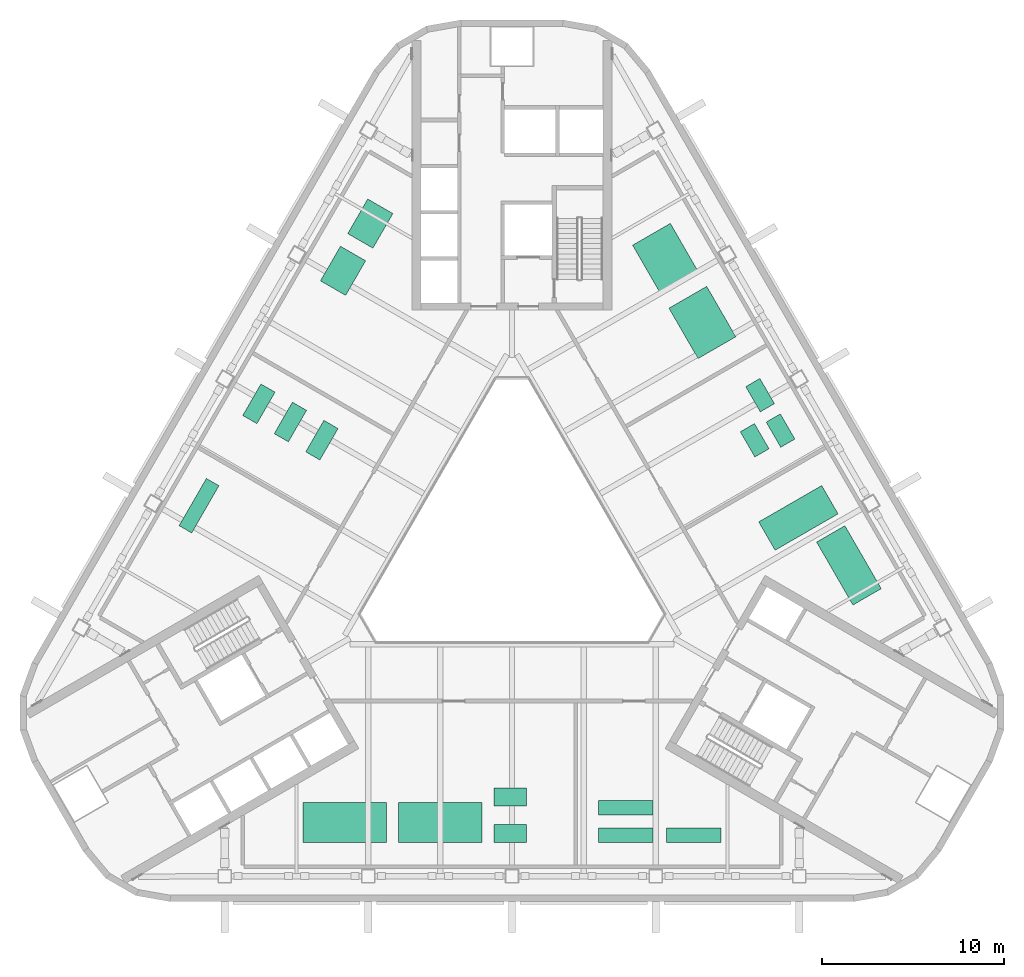
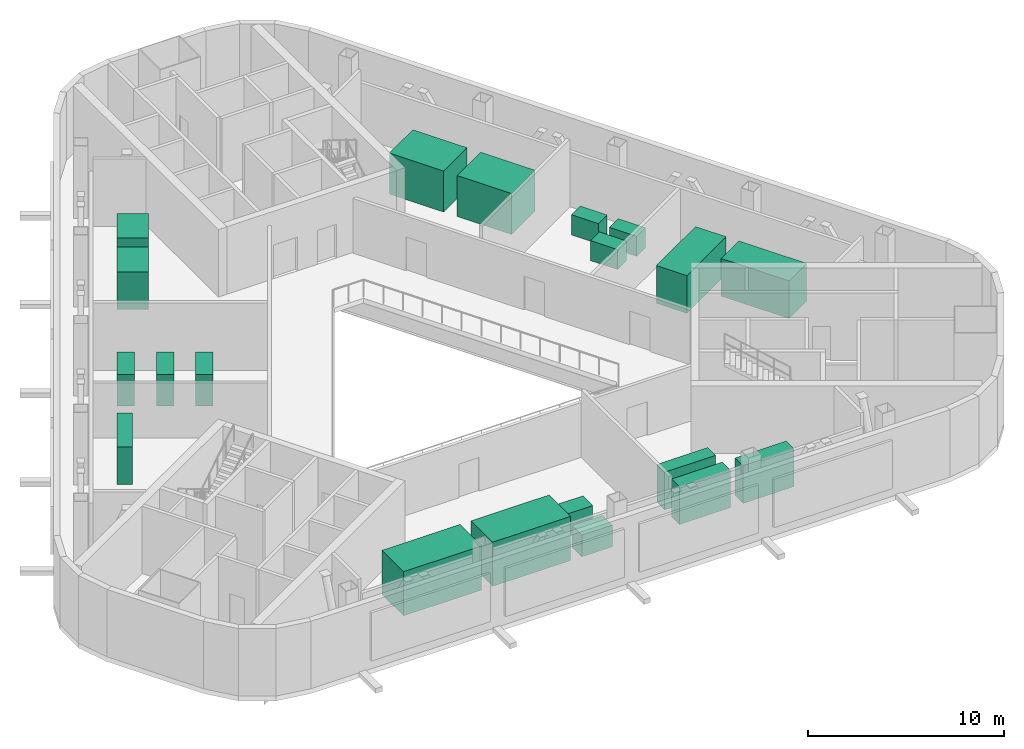
# One storey, part 15 of 15: 5 pumps, 4 electric distribution boards, 3 heat exchangers, 2 chillers, 2 tanks, 2 transformers, 2 unitary equipment elements.
"""IFC4 building model written with IfcOpenShell, lengths in metres."""

from ifc_helpers import new_model, si_unit, direction, frame, origin, origin_2d, place, context, subcontext, project, spatial, rectangle, extrude, material, type_object, element, save


model = new_model("IFC4")

# Units and contexts
model_context = context("Model", 3, precision=1e-05, world=origin(), true_north=direction((0.0, 1.0)))
body_context = subcontext(model_context, "Body", "Model", "MODEL_VIEW")
ifc_project = project(units=[si_unit("LENGTHUNIT", "METRE"), si_unit("AREAUNIT", "SQUARE_METRE"), si_unit("VOLUMEUNIT", "CUBIC_METRE"), si_unit("PLANEANGLEUNIT", "RADIAN"), si_unit("MASSUNIT", "GRAM", prefix="KILO")], contexts=[model_context])

# Site, building, storey
site_placement = place(None, origin())
site = spatial("IfcSite", under=ifc_project, at=site_placement, CompositionType="ELEMENT")
building_placement = place(site_placement, origin())
building = spatial("IfcBuilding", under=site, at=building_placement, Name="Apuvela Tower Hotel", CompositionType="ELEMENT")
storey_placement = place(building_placement, frame((0.0, 0.0, 237.699951171875)))
storey = spatial("IfcBuildingStorey", under=building, at=storey_placement, Name="L58 Plant", CompositionType="ELEMENT", Elevation=237.699951171875)

# Unitary equipment
ifc_material = material(Name="Painted sheet metal casing")
unitary_equipment_type = type_object("IfcUnitaryEquipmentType", Name="SPC-EQ-Air handling unit", PredefinedType="AIRHANDLER", material=ifc_material)
unitary_equipment_1_placement = place(storey_placement, frame((18.531005859375, -1.13671875, 0.0), z_axis=(0.0, 0.0, 1.0), x_axis=(-0.5, 0.866025403784, 0.0)))
element("IfcUnitaryEquipment", 1, at=unitary_equipment_1_placement, inside=storey, type_object=unitary_equipment_type, Name="Air handling unit L58-NE1.1", PredefinedType="AIRHANDLER", context=body_context, shape_type="SweptSolid", body=[
    extrude(rectangle(XDim=4.0, YDim=1.800048828125, at=origin_2d()), origin(), (0.0, 0.0, 1.0), 2.35009765625),
])
unitary_equipment_2_placement = place(storey_placement, frame((15.75341796875, 1.47412109375, 0.0), z_axis=(0.0, 0.0, 1.0), x_axis=(-0.5, 0.866025403784, 0.0)))
element("IfcUnitaryEquipment", 2, at=unitary_equipment_2_placement, inside=storey, type_object=unitary_equipment_type, Name="Air handling unit L58-NE1.2", PredefinedType="AIRHANDLER", context=body_context, shape_type="SweptSolid", body=[
    extrude(rectangle(XDim=1.800048828125, YDim=4.0, at=origin_2d()), origin(), (0.0, 0.0, 1.0), 2.35009765625),
])

# Pumps
pump_type_1 = type_object("IfcPumpType", Name="SPC-EQ-Chilled water pump", PredefinedType="CIRCULATOR", material=ifc_material)
for number, where, z_axis, x_axis, name in (
    (3, (14.770751953125, 6.2763671875, 0.0), (0.0, 0.0, 1.0), (-0.5, 0.866025403784, 0.0), "Chilled water pump L58-NE2.1"),
    (4, (13.645751953125, 8.224853515625, 0.0), (0.0, 0.0, 1.0), (-0.5, 0.866025403784, 0.0), "Chilled water pump L58-NE2.2"),
    (5, (13.3466796875, 5.742919921875, 0.0), (0.0, 0.0, 1.0), (-0.5, 0.866025403784, 0.0), "Chilled water pump L58-NE2.3"),
):
    element("IfcPump", number, at=place(storey_placement, frame(where, z_axis=z_axis, x_axis=x_axis)), inside=storey, type_object=pump_type_1, Name=name, PredefinedType="CIRCULATOR", context=body_context, shape_type="SweptSolid", body=[
        extrude(rectangle(XDim=1.60009765625, YDim=0.89990234375, at=origin_2d()), origin(), (0.0, 0.0, 1.0), 1.25),
    ])

# Chillers
chiller_type = type_object("IfcChillerType", Name="SPC-EQ-Chiller", PredefinedType="WATERCOOLED", material=ifc_material)
for number, where, z_axis, x_axis, name in (
    (6, (-9.199951171875, -15.280029296875, 0.0), (0.0, 0.0, 1.0), (1.0, 0.0, 0.0), "Chiller L58-S1.1"),
    (7, (-3.949951171875, -15.280029296875, 0.0), (0.0, 0.0, 1.0), (1.0, 0.0, 0.0), "Chiller L58-S1.2"),
):
    element("IfcChiller", number, at=place(storey_placement, frame(where, z_axis=z_axis, x_axis=x_axis)), inside=storey, type_object=chiller_type, Name=name, PredefinedType="WATERCOOLED", context=body_context, shape_type="SweptSolid", body=[
        extrude(rectangle(XDim=4.60009765625, YDim=2.199951171875, at=origin_2d()), origin(), (0.0, 0.0, 1.0), 2.75),
    ])

# Pumps
pump_type_2 = type_object("IfcPumpType", Name="SPC-EQ-Condenser water pump", PredefinedType="CIRCULATOR", material=ifc_material)
for number, where, z_axis, x_axis, name in (
    (8, (-0.10009765625, -15.8798828125, 0.0), (0.0, 0.0, 1.0), (1.0, 0.0, 0.0), "Condenser water pump L58-S1.3"),
    (9, (-0.10009765625, -13.8798828125, 0.0), (0.0, 0.0, 1.0), (1.0, 0.0, 0.0), "Condenser water pump L58-S1.4"),
):
    element("IfcPump", number, at=place(storey_placement, frame(where, z_axis=z_axis, x_axis=x_axis)), inside=storey, type_object=pump_type_2, Name=name, PredefinedType="CIRCULATOR", context=body_context, shape_type="SweptSolid", body=[
        extrude(rectangle(XDim=1.800048828125, YDim=1.0, at=origin_2d()), origin(), (0.0, 0.0, 1.0), 1.35009765625),
    ])

# Heat exchangers
heat_exchanger_type = type_object("IfcHeatExchangerType", Name="SPC-EQ-Heat exchanger", PredefinedType="PLATE", material=ifc_material)
for number, where, z_axis, x_axis, name in (
    (10, (-13.9208984375, 7.74853515625, 0.0), (0.0, 0.0, 1.0), (-0.5, -0.866025403784, 0.0), "Heat exchanger L58-NW2.1"),
    (11, (-12.188720703125, 6.74853515625, 0.0), (0.0, 0.0, 1.0), (-0.5, -0.866025403784, 0.0), "Heat exchanger L58-NW2.2"),
    (12, (-10.456787109375, 5.74853515625, 0.0), (0.0, 0.0, 1.0), (-0.5, -0.866025403784, 0.0), "Heat exchanger L58-NW2.3"),
):
    element("IfcHeatExchanger", number, at=place(storey_placement, frame(where, z_axis=z_axis, x_axis=x_axis)), inside=storey, type_object=heat_exchanger_type, Name=name, PredefinedType="PLATE", context=body_context, shape_type="SweptSolid", body=[
        extrude(rectangle(XDim=2.0, YDim=0.89990234375, at=origin_2d()), origin(), (0.0, 0.0, 1.0), 1.949951171875),
    ])

# Electric distribution boards
electric_distribution_board_type = type_object("IfcElectricDistributionBoardType", Name="SPC-EQ-Switchboard", PredefinedType="SWITCHBOARD", material=ifc_material)
for number, where, z_axis, x_axis, name in (
    (13, (6.25, -15.97998046875, 0.0), (0.0, 0.0, 1.0), (1.0, 0.0, 0.0), "Switchboard L58-S2.1"),
    (14, (10.0, -15.97998046875, 0.0), (0.0, 0.0, 1.0), (1.0, 0.0, 0.0), "Switchboard L58-S2.2"),
    (15, (6.25, -14.47998046875, 0.0), (0.0, 0.0, 1.0), (1.0, 0.0, 0.0), "Switchboard L58-S2.3"),
    (16, (-17.214111328125, 2.144287109375, 0.0), (0.0, 0.0, 1.0), (-0.5, -0.866025403784, 0.0), "Switchboard L58-NW3.1"),
):
    element("IfcElectricDistributionBoard", number, at=place(storey_placement, frame(where, z_axis=z_axis, x_axis=x_axis)), inside=storey, type_object=electric_distribution_board_type, Name=name, PredefinedType="SWITCHBOARD", context=body_context, shape_type="SweptSolid", body=[
        extrude(rectangle(XDim=3.0, YDim=0.800048828125, at=origin_2d()), origin(), (0.0, 0.0, 1.0), 2.35009765625),
    ])

# Transformers
transformer_type = type_object("IfcTransformerType", Name="SPC-EQ-Transformer", PredefinedType="VOLTAGE", material=ifc_material)
for number, where, z_axis, x_axis, name in (
    (17, (-7.792724609375, 17.66259765625, 0.0), (0.0, 0.0, 1.0), (-0.5, -0.866025403784, 0.0), "Transformer L58-NW1.1"),
    (18, (-9.292724609375, 15.064697265625, 0.0), (0.0, 0.0, 1.0), (-0.5, -0.866025403784, 0.0), "Transformer L58-NW1.2"),
):
    element("IfcTransformer", number, at=place(storey_placement, frame(where, z_axis=z_axis, x_axis=x_axis)), inside=storey, type_object=transformer_type, Name=name, PredefinedType="VOLTAGE", context=body_context, shape_type="SweptSolid", body=[
        extrude(rectangle(XDim=2.199951171875, YDim=1.60009765625, at=origin_2d()), origin(), (0.0, 0.0, 1.0), 2.35009765625),
    ])

# Tanks
tank_type = type_object("IfcTankType", Name="SPC-EQ-Water storage tank", PredefinedType="STORAGE", material=ifc_material)
for number, where, z_axis, x_axis, name in (
    (19, (10.47119140625, 12.22314453125, 0.0), (0.0, 0.0, 1.0), (-0.5, 0.866025403784, 0.0), "Water storage tank L58-NE3.1"),
    (20, (8.47119140625, 15.687255859375, 0.0), (0.0, 0.0, 1.0), (-0.5, 0.866025403784, 0.0), "Water storage tank L58-NE3.2"),
):
    element("IfcTank", number, at=place(storey_placement, frame(where, z_axis=z_axis, x_axis=x_axis)), inside=storey, type_object=tank_type, Name=name, PredefinedType="STORAGE", context=body_context, shape_type="SweptSolid", body=[
        extrude(rectangle(XDim=3.199951171875, YDim=2.39990234375, at=origin_2d()), origin(), (0.0, 0.0, 1.0), 2.550048828125),
    ])

save(model, "model.ifc")
